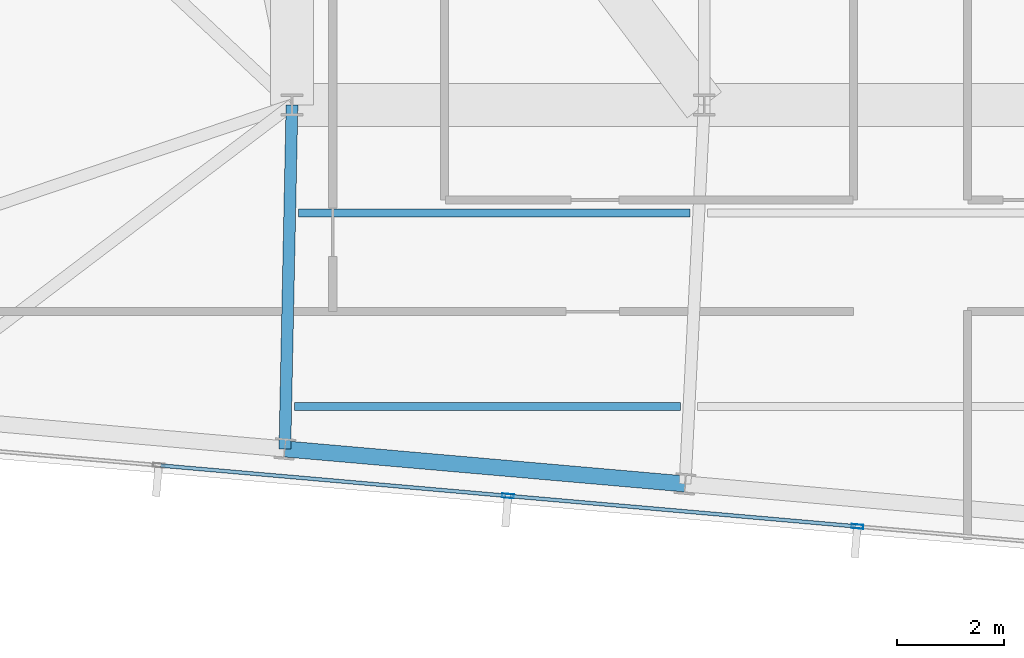
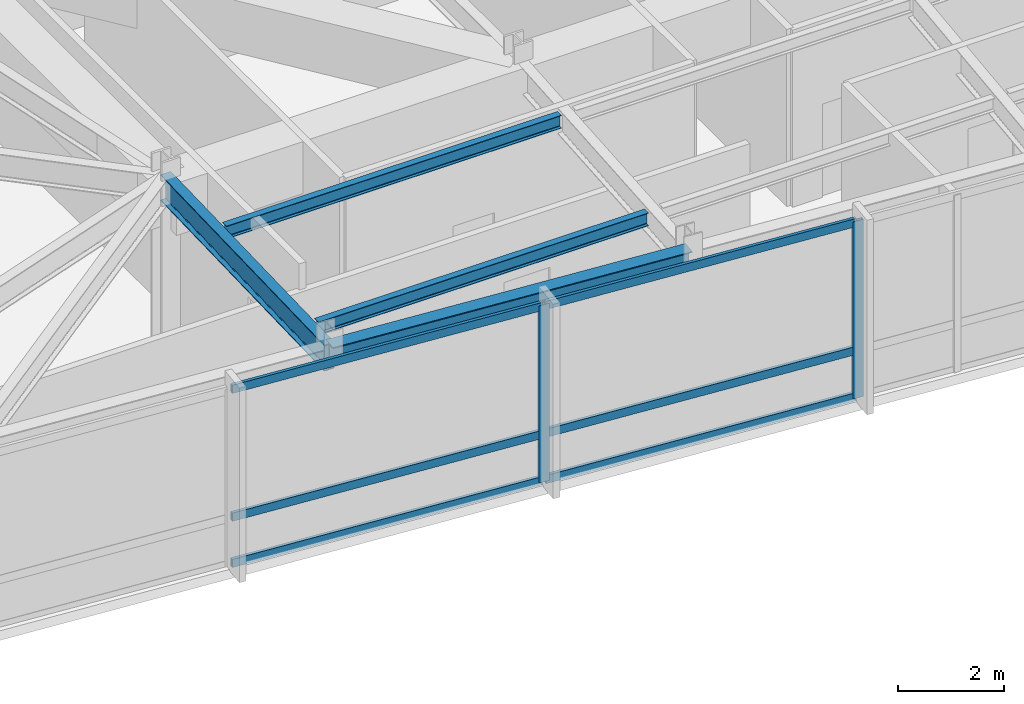
# One storey, part 4 of 25: 8 members, 4 beams, 1 element without a shape of its own.
"""IFC4 building model written with IfcOpenShell, lengths in metres."""

from ifc_helpers import new_model, si_unit, direction, frame, origin, origin_2d, place, context, subcontext, project, spatial, hollow_rectangle, i_section, extrude, material, material_profile, profile_set, type_object, element, aggregate, save


model = new_model("IFC4")

# Units and contexts
model_context = context("Model", 3, precision=1e-05, world=origin(), true_north=direction((0.0, 1.0)))
body_context = subcontext(model_context, "Body", "Model", "MODEL_VIEW")
ifc_project = project(units=[si_unit("LENGTHUNIT", "METRE"), si_unit("AREAUNIT", "SQUARE_METRE"), si_unit("VOLUMEUNIT", "CUBIC_METRE"), si_unit("PLANEANGLEUNIT", "RADIAN"), si_unit("MASSUNIT", "GRAM", prefix="KILO")], contexts=[model_context])

# Site, building, storey
site_placement = place(None, origin())
site = spatial("IfcSite", under=ifc_project, at=site_placement, CompositionType="ELEMENT")
building_placement = place(site_placement, origin())
building = spatial("IfcBuilding", under=site, at=building_placement, Name="Yelkora Congress Tower", CompositionType="ELEMENT")
storey_placement = place(building_placement, frame((0.0, 0.0, 299.89990234375)))
storey = spatial("IfcBuildingStorey", under=building, at=storey_placement, Name="L84", CompositionType="ELEMENT", Elevation=299.89990234375)

# Beams
ifc_material_1 = material(Name="Steel S355J2", Category="steel")
ifc_material_profile_1 = material_profile(ifc_material_1, i_section(OverallWidth=0.219970703125, OverallDepth=0.60009765625, WebThickness=0.011962890625, FlangeThickness=0.01904296875, FilletRadius=0.02392578125, at=origin_2d()), Name="IPE 600")
ifc_profile_set_1 = profile_set([ifc_material_profile_1], Name="Steel S355J2")
beam_type_1 = type_object("IfcBeamType", Name="BM-GIRD-IPE600", PredefinedType="BEAM", material=ifc_profile_set_1)
beam_1_placement = place(storey_placement, frame((22.90771484375, 18.793212890625, 3.780029296875), z_axis=(0.020649509667, 0.999786776143, 0.0), x_axis=(-0.999786776143, 0.020649509667, 0.0)))
element("IfcBeam", 1, at=beam_1_placement, inside=storey, type_object=beam_type_1, Name="L84 Primary Frame Girder S03", PredefinedType="BEAM", context=body_context, shape_type="SweptSolid", body=[
    extrude(i_section(OverallWidth=0.219970703125, OverallDepth=0.60009765625, WebThickness=0.011962890625, FlangeThickness=0.01904296875, FilletRadius=0.02392578125, at=origin_2d()), origin(), (0.0, 0.0, 1.0), 6.408203125),
])
ifc_material_profile_2 = material_profile(ifc_material_1, i_section(OverallWidth=0.14990234375, OverallDepth=0.300048828125, WebThickness=0.007080078125, FlangeThickness=0.0107421875, FilletRadius=0.014892578125, at=origin_2d()), Name="IPE 300")
ifc_profile_set_2 = profile_set([ifc_material_profile_2], Name="Steel S355J2")
beam_type_2 = type_object("IfcBeamType", Name="BM-JOIST-IPE300", PredefinedType="JOIST", material=ifc_profile_set_2)
beam_2_placement = place(storey_placement, frame((23.083984375, 19.58447265625, 3.93017578125), z_axis=(1.0, 0.0, 0.0), x_axis=(0.0, 1.0, 0.0)))
element("IfcBeam", 2, at=beam_2_placement, inside=storey, type_object=beam_type_2, Name="L84 Composite Floor Joist 1", PredefinedType="JOIST", context=body_context, shape_type="SweptSolid", body=[
    extrude(i_section(OverallWidth=0.14990234375, OverallDepth=0.300048828125, WebThickness=0.007080078125, FlangeThickness=0.0107421875, FilletRadius=0.014892578125, at=origin_2d()), origin(), (0.0, 0.0, 1.0), 7.191650390625),
])
beam_3_placement = place(storey_placement, frame((23.158447265625, 23.1845703125, 3.93017578125), z_axis=(1.0, 0.0, 0.0), x_axis=(0.0, 1.0, 0.0)))
element("IfcBeam", 3, at=beam_3_placement, inside=storey, type_object=beam_type_2, Name="L84 Composite Floor Joist 5", PredefinedType="JOIST", context=body_context, shape_type="SweptSolid", body=[
    extrude(i_section(OverallWidth=0.14990234375, OverallDepth=0.300048828125, WebThickness=0.007080078125, FlangeThickness=0.0107421875, FilletRadius=0.014892578125, at=origin_2d()), origin(), (0.0, 0.0, 1.0), 7.299560546875),
])
ifc_material_profile_3 = material_profile(ifc_material_1, i_section(OverallWidth=0.300048828125, OverallDepth=0.340087890625, WebThickness=0.011962890625, FlangeThickness=0.021484375, FilletRadius=0.027099609375, at=origin_2d()), Name="HEB 340")
ifc_profile_set_3 = profile_set([ifc_material_profile_3], Name="Steel S355J2")
beam_type_3 = type_object("IfcBeamType", Name="BM-SPAN-HEB340", PredefinedType="SPANDREL", material=ifc_profile_set_3)
beam_4_placement = place(storey_placement, frame((22.90771484375, 18.793212890625, 3.91015625), z_axis=(0.99619601894, -0.087140644067, 0.0), x_axis=(0.087140644067, 0.99619601894, 0.0)))
element("IfcBeam", 4, at=beam_4_placement, inside=storey, type_object=beam_type_3, Name="L84 Perimeter Beam 3", PredefinedType="SPANDREL", context=body_context, shape_type="SweptSolid", body=[
    extrude(i_section(OverallWidth=0.300048828125, OverallDepth=0.340087890625, WebThickness=0.011962890625, FlangeThickness=0.021484375, FilletRadius=0.027099609375, at=origin_2d()), origin(), (0.0, 0.0, 1.0), 7.4833984375),
])

# Curtain wall, members
ifc_material_2 = material(Name="Anodised aluminium and insulated glass", Category="aluminium")
curtain_wall_type = type_object("IfcCurtainWallType", Name="CW-SYS-SKY", PredefinedType="NOTDEFINED", material=ifc_material_2)
curtain_wall_placement = place(storey_placement, origin())
curtain_wall = element("IfcCurtainWall", 5, at=curtain_wall_placement, inside=storey, type_object=curtain_wall_type, Name="L84 Unitised Curtain Wall 20", PredefinedType="NOTDEFINED")
ifc_material_3 = material(Name="Anodised aluminium 6063-T6", Category="aluminium")
ifc_material_profile_4 = material_profile(ifc_material_3, hollow_rectangle(XDim=0.074951171875, YDim=0.219970703125, WallThickness=0.0048828125, at=origin_2d()), Name="ALU 75x220x5")
ifc_profile_set_4 = profile_set([ifc_material_profile_4], Name="Anodised aluminium 6063-T6")
member_type_1 = type_object("IfcMemberType", Name="MEM-ML-SKY", PredefinedType="MULLION", material=ifc_profile_set_4)
member_1_placement = place(storey_placement, frame((33.571533203125, 17.348388671875, 0.0), z_axis=(0.0, 0.0, 1.0), x_axis=(-0.087156829793, -0.996194602987, 0.0)))
member_1 = element("IfcMember", 6, at=member_1_placement, type_object=member_type_1, Name="CW-SKY mullion 4", PredefinedType="MULLION", context=body_context, shape_type="SweptSolid", body=[
    extrude(hollow_rectangle(XDim=0.074951171875, YDim=0.219970703125, WallThickness=0.0048828125, at=origin_2d()), origin(), (0.0, 0.0, 1.0), 4.080078125),
])
member_2_placement = place(storey_placement, frame((27.06494140625, 17.917724609375, 0.0), z_axis=(0.0, 0.0, 1.0), x_axis=(-0.087156829793, -0.996194602987, 0.0)))
member_2 = element("IfcMember", 7, at=member_2_placement, type_object=member_type_1, Name="CW-SKY mullion 5", PredefinedType="MULLION", context=body_context, shape_type="SweptSolid", body=[
    extrude(hollow_rectangle(XDim=0.074951171875, YDim=0.219970703125, WallThickness=0.0048828125, at=origin_2d()), origin(), (0.0, 0.0, 1.0), 4.080078125),
])
ifc_material_profile_5 = material_profile(ifc_material_3, hollow_rectangle(XDim=0.070068359375, YDim=0.18994140625, WallThickness=0.00390625, at=origin_2d()), Name="ALU 70x190x4")
ifc_profile_set_5 = profile_set([ifc_material_profile_5], Name="Anodised aluminium 6063-T6")
member_type_2 = type_object("IfcMemberType", Name="MEM-TR-SKY", PredefinedType="USERDEFINED", material=ifc_profile_set_5)
member_3_placement = place(storey_placement, frame((33.5341796875, 17.351806640625, 0.03515625), z_axis=(-0.996194333134, 0.087159914135, 0.0), x_axis=(-0.087159914135, -0.996194333134, 0.0)))
member_3 = element("IfcMember", 8, at=member_3_placement, type_object=member_type_2, Name="CW-SKY transom 4.1", ObjectType="TRANSOM", PredefinedType="USERDEFINED", context=body_context, shape_type="SweptSolid", body=[
    extrude(hollow_rectangle(XDim=0.070068359375, YDim=0.18994140625, WallThickness=0.00390625, at=origin_2d()), origin(), (0.0, 0.0, 1.0), 6.45654296875),
])
member_4_placement = place(storey_placement, frame((33.5341796875, 17.351806640625, 1.10009765625), z_axis=(-0.996194333134, 0.087159914135, 0.0), x_axis=(-0.087159914135, -0.996194333134, 0.0)))
member_4 = element("IfcMember", 9, at=member_4_placement, type_object=member_type_2, Name="CW-SKY transom 4.2", ObjectType="TRANSOM", PredefinedType="USERDEFINED", context=body_context, shape_type="SweptSolid", body=[
    extrude(hollow_rectangle(XDim=0.070068359375, YDim=0.18994140625, WallThickness=0.00390625, at=origin_2d()), origin(), (0.0, 0.0, 1.0), 6.45654296875),
])
member_5_placement = place(storey_placement, frame((33.5341796875, 17.351806640625, 4.045166015625), z_axis=(-0.996194333134, 0.087159914135, 0.0), x_axis=(-0.087159914135, -0.996194333134, 0.0)))
member_5 = element("IfcMember", 10, at=member_5_placement, type_object=member_type_2, Name="CW-SKY transom 4.3", ObjectType="TRANSOM", PredefinedType="USERDEFINED", context=body_context, shape_type="SweptSolid", body=[
    extrude(hollow_rectangle(XDim=0.070068359375, YDim=0.18994140625, WallThickness=0.00390625, at=origin_2d()), origin(), (0.0, 0.0, 1.0), 6.45654296875),
])
member_6_placement = place(storey_placement, frame((27.027587890625, 17.9208984375, 0.03515625), z_axis=(-0.996194333134, 0.087159914135, 0.0), x_axis=(-0.087159914135, -0.996194333134, 0.0)))
member_6 = element("IfcMember", 11, at=member_6_placement, type_object=member_type_2, Name="CW-SKY transom 5.1", ObjectType="TRANSOM", PredefinedType="USERDEFINED", context=body_context, shape_type="SweptSolid", body=[
    extrude(hollow_rectangle(XDim=0.070068359375, YDim=0.18994140625, WallThickness=0.00390625, at=origin_2d()), origin(), (0.0, 0.0, 1.0), 6.45654296875),
])
member_7_placement = place(storey_placement, frame((27.027587890625, 17.9208984375, 1.10009765625), z_axis=(-0.996194333134, 0.087159914135, 0.0), x_axis=(-0.087159914135, -0.996194333134, 0.0)))
member_7 = element("IfcMember", 12, at=member_7_placement, type_object=member_type_2, Name="CW-SKY transom 5.2", ObjectType="TRANSOM", PredefinedType="USERDEFINED", context=body_context, shape_type="SweptSolid", body=[
    extrude(hollow_rectangle(XDim=0.070068359375, YDim=0.18994140625, WallThickness=0.00390625, at=origin_2d()), origin(), (0.0, 0.0, 1.0), 6.45654296875),
])
member_8_placement = place(storey_placement, frame((27.027587890625, 17.9208984375, 4.045166015625), z_axis=(-0.996194333134, 0.087159914135, 0.0), x_axis=(-0.087159914135, -0.996194333134, 0.0)))
member_8 = element("IfcMember", 13, at=member_8_placement, type_object=member_type_2, Name="CW-SKY transom 5.3", ObjectType="TRANSOM", PredefinedType="USERDEFINED", context=body_context, shape_type="SweptSolid", body=[
    extrude(hollow_rectangle(XDim=0.070068359375, YDim=0.18994140625, WallThickness=0.00390625, at=origin_2d()), origin(), (0.0, 0.0, 1.0), 6.45654296875),
])
aggregate(curtain_wall, [member_1, member_2, member_3, member_4, member_5, member_6, member_7, member_8])

save(model, "model.ifc")
